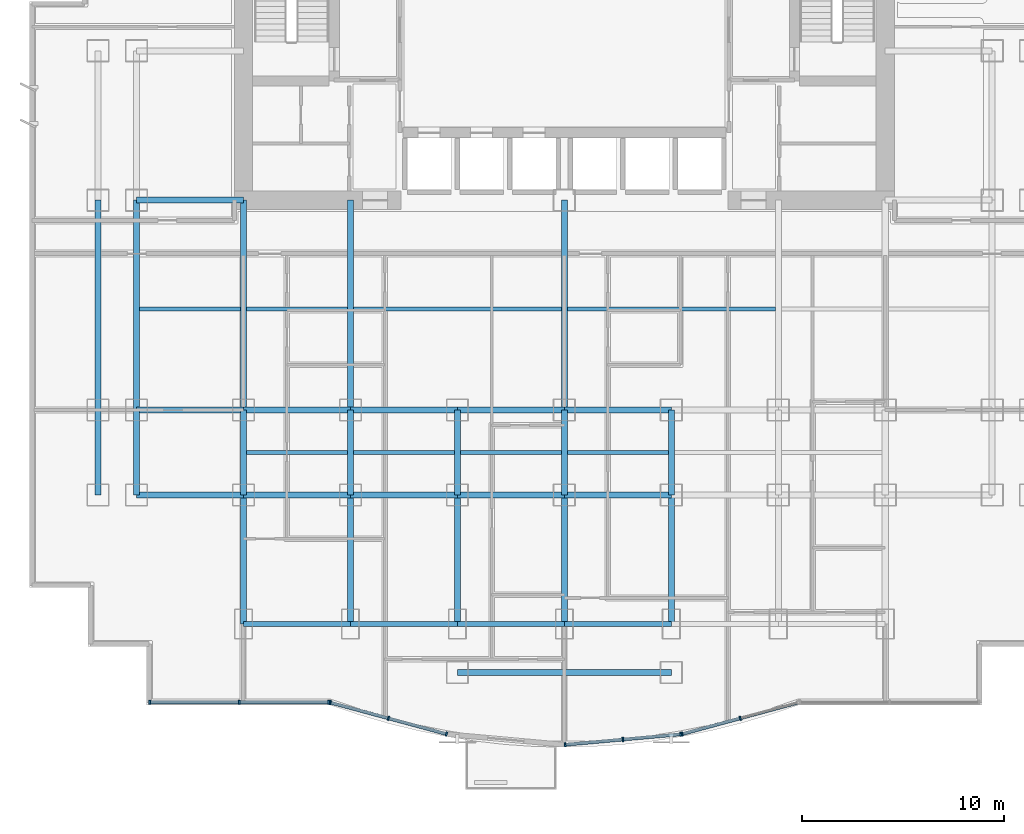
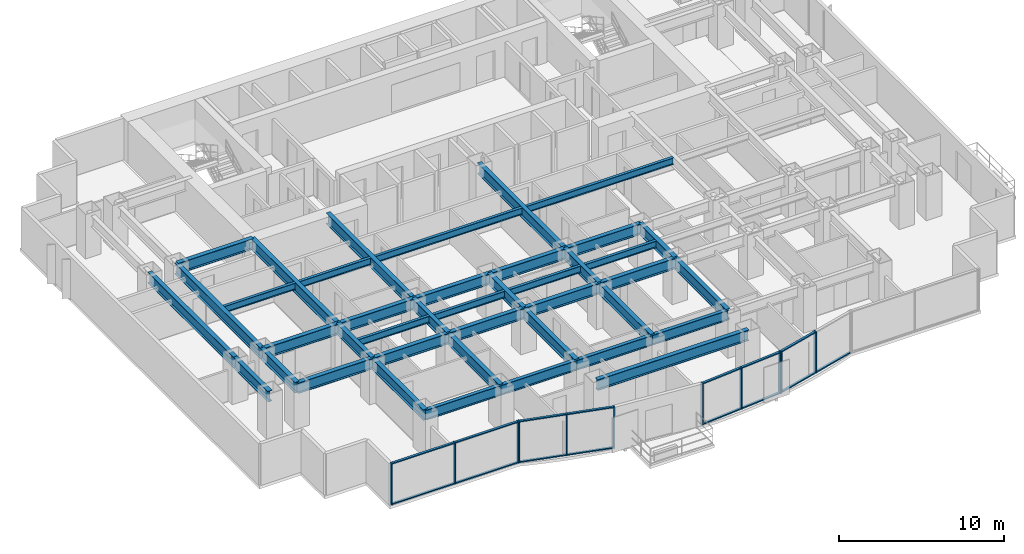
# One storey, part 2 of 10: 41 beams, 26 members, 4 elements without a shape of their own.
"""IFC4 building model written with IfcOpenShell, lengths in metres."""

from ifc_helpers import new_model, si_unit, direction, frame, origin, origin_2d, place, context, subcontext, project, spatial, rectangle, i_section, extrude, source, transform, mapped, material, layer, layer_set, material_profile, profile_set, type_object, element, aggregate, save


model = new_model("IFC4")

# Units and contexts
model_context = context("Model", 3, precision=1e-05, world=origin(), true_north=direction((0.0, 1.0)))
body_context = subcontext(model_context, "Body", "Model", "MODEL_VIEW")
ifc_project = project(units=[si_unit("LENGTHUNIT", "METRE"), si_unit("AREAUNIT", "SQUARE_METRE"), si_unit("VOLUMEUNIT", "CUBIC_METRE"), si_unit("PLANEANGLEUNIT", "RADIAN"), si_unit("MASSUNIT", "GRAM", prefix="KILO")], contexts=[model_context])

# Site, building, storey
site_placement = place(None, origin())
site = spatial("IfcSite", under=ifc_project, at=site_placement, CompositionType="ELEMENT")
building_placement = place(site_placement, origin())
building = spatial("IfcBuilding", under=site, at=building_placement, Name="Qianlan Lanfeng Residences", CompositionType="ELEMENT")
storey_placement = place(building_placement, frame((0.0, 0.0, 50.60009765625)))
storey = spatial("IfcBuildingStorey", under=building, at=storey_placement, Name="L13", CompositionType="ELEMENT", Elevation=50.60009765625)

# Beams
ifc_material_1 = material(Name="Steel SN490B", Category="steel")
ifc_material_profile_1 = material_profile(ifc_material_1, i_section(OverallWidth=0.300048828125, OverallDepth=0.800048828125, WebThickness=0.01611328125, FlangeThickness=0.028076171875, at=origin_2d()), Name="H 800x300x16x28")
ifc_profile_set_1 = profile_set([ifc_material_profile_1], Name="Steel SN490B")
beam_type_1 = type_object("IfcBeamType", Name="G-950", PredefinedType="BEAM", material=ifc_profile_set_1)
beam_1_placement = place(storey_placement, frame((21.199951171875, 1.800048828125, 2.679931640625), z_axis=(1.0, 0.0, 0.0), x_axis=(0.0, 1.0, 0.0)))
element("IfcBeam", 1, at=beam_1_placement, inside=storey, type_object=beam_type_1, Name="Structural beam G-950", PredefinedType="BEAM", context=body_context, shape_type="SweptSolid", body=[
    extrude(i_section(OverallWidth=0.300048828125, OverallDepth=0.800048828125, WebThickness=0.01611328125, FlangeThickness=0.028076171875, at=origin_2d()), origin(), (0.0, 0.0, 1.0), 10.60009765625),
])
beam_2_placement = place(storey_placement, frame((5.300048828125, 10.60009765625, 2.679931640625), z_axis=(1.0, 0.0, 0.0), x_axis=(0.0, 1.0, 0.0)))
element("IfcBeam", 2, at=beam_2_placement, inside=storey, type_object=beam_type_1, Name="Structural beam G-950", PredefinedType="BEAM", context=body_context, shape_type="SweptSolid", body=[
    extrude(i_section(OverallWidth=0.300048828125, OverallDepth=0.800048828125, WebThickness=0.01611328125, FlangeThickness=0.028076171875, at=origin_2d()), origin(), (0.0, 0.0, 1.0), 5.300048828125),
])
beam_3_placement = place(storey_placement, frame((10.60009765625, 10.60009765625, 2.679931640625), z_axis=(1.0, 0.0, 0.0), x_axis=(0.0, 1.0, 0.0)))
element("IfcBeam", 3, at=beam_3_placement, inside=storey, type_object=beam_type_1, Name="Structural beam G-950", PredefinedType="BEAM", context=body_context, shape_type="SweptSolid", body=[
    extrude(i_section(OverallWidth=0.300048828125, OverallDepth=0.800048828125, WebThickness=0.01611328125, FlangeThickness=0.028076171875, at=origin_2d()), origin(), (0.0, 0.0, 1.0), 5.2998046875),
])
for number, where, z_axis, x_axis, name in (
    (4, (15.89990234375, 10.60009765625, 2.679931640625), (1.0, 0.0, 0.0), (0.0, 1.0, 0.0), "Structural beam G-950"),
    (5, (21.199951171875, 10.60009765625, 2.679931640625), (1.0, 0.0, 0.0), (0.0, 1.0, 0.0), "Structural beam G-950"),
    (6, (26.5, 10.60009765625, 2.679931640625), (1.0, 0.0, 0.0), (0.0, 1.0, 0.0), "Structural beam G-950"),
    (7, (5.300048828125, 14.800048828125, 2.679931640625), (1.0, 0.0, 0.0), (0.0, 1.0, 0.0), "Structural beam G-950"),
):
    element("IfcBeam", number, at=place(storey_placement, frame(where, z_axis=z_axis, x_axis=x_axis)), inside=storey, type_object=beam_type_1, Name=name, PredefinedType="BEAM", context=body_context, shape_type="SweptSolid", body=[
        extrude(i_section(OverallWidth=0.300048828125, OverallDepth=0.800048828125, WebThickness=0.01611328125, FlangeThickness=0.028076171875, at=origin_2d()), origin(), (0.0, 0.0, 1.0), 5.300048828125),
    ])
beam_4_placement = place(storey_placement, frame((10.60009765625, 14.800048828125, 2.679931640625), z_axis=(1.0, 0.0, 0.0), x_axis=(0.0, 1.0, 0.0)))
element("IfcBeam", 8, at=beam_4_placement, inside=storey, type_object=beam_type_1, Name="Structural beam G-950", PredefinedType="BEAM", context=body_context, shape_type="SweptSolid", body=[
    extrude(i_section(OverallWidth=0.300048828125, OverallDepth=0.800048828125, WebThickness=0.01611328125, FlangeThickness=0.028076171875, at=origin_2d()), origin(), (0.0, 0.0, 1.0), 5.2998046875),
])
for number, where, z_axis, x_axis, name in (
    (9, (15.89990234375, 14.800048828125, 2.679931640625), (1.0, 0.0, 0.0), (0.0, 1.0, 0.0), "Structural beam G-950"),
    (10, (21.199951171875, 14.800048828125, 2.679931640625), (1.0, 0.0, 0.0), (0.0, 1.0, 0.0), "Structural beam G-950"),
    (11, (26.5, 14.800048828125, 2.679931640625), (1.0, 0.0, 0.0), (0.0, 1.0, 0.0), "Structural beam G-950"),
    (12, (5.300048828125, 25.199951171875, 2.679931640625), (1.0, 0.0, 0.0), (0.0, 1.0, 0.0), "Structural beam G-950"),
):
    element("IfcBeam", number, at=place(storey_placement, frame(where, z_axis=z_axis, x_axis=x_axis)), inside=storey, type_object=beam_type_1, Name=name, PredefinedType="BEAM", context=body_context, shape_type="SweptSolid", body=[
        extrude(i_section(OverallWidth=0.300048828125, OverallDepth=0.800048828125, WebThickness=0.01611328125, FlangeThickness=0.028076171875, at=origin_2d()), origin(), (0.0, 0.0, 1.0), 5.300048828125),
    ])
beam_5_placement = place(storey_placement, frame((3.39990234375, 10.60009765625, 2.679931640625), z_axis=(0.0, 1.0, 0.0), x_axis=(-1.0, 0.0, 0.0)))
element("IfcBeam", 13, at=beam_5_placement, inside=storey, type_object=beam_type_1, Name="Structural beam G-950", PredefinedType="BEAM", context=body_context, shape_type="SweptSolid", body=[
    extrude(i_section(OverallWidth=0.300048828125, OverallDepth=0.800048828125, WebThickness=0.01611328125, FlangeThickness=0.028076171875, at=origin_2d()), origin(), (0.0, 0.0, 1.0), 4.199951171875),
])
beam_6_placement = place(storey_placement, frame((3.39990234375, 14.800048828125, 2.679931640625), z_axis=(0.0, 1.0, 0.0), x_axis=(-1.0, 0.0, 0.0)))
element("IfcBeam", 14, at=beam_6_placement, inside=storey, type_object=beam_type_1, Name="Structural beam G-950", PredefinedType="BEAM", context=body_context, shape_type="SweptSolid", body=[
    extrude(i_section(OverallWidth=0.300048828125, OverallDepth=0.800048828125, WebThickness=0.01611328125, FlangeThickness=0.028076171875, at=origin_2d()), origin(), (0.0, 0.0, 1.0), 10.39990234375),
])
beam_7_placement = place(storey_placement, frame((5.300048828125, 10.60009765625, 2.679931640625), z_axis=(0.0, 1.0, 0.0), x_axis=(-1.0, 0.0, 0.0)))
element("IfcBeam", 15, at=beam_7_placement, inside=storey, type_object=beam_type_1, Name="Structural beam G-950", PredefinedType="BEAM", context=body_context, shape_type="SweptSolid", body=[
    extrude(i_section(OverallWidth=0.300048828125, OverallDepth=0.800048828125, WebThickness=0.01611328125, FlangeThickness=0.028076171875, at=origin_2d()), origin(), (0.0, 0.0, 1.0), 4.199951171875),
])
beam_8_placement = place(storey_placement, frame((5.300048828125, 14.800048828125, 2.679931640625), z_axis=(0.0, 1.0, 0.0), x_axis=(-1.0, 0.0, 0.0)))
element("IfcBeam", 16, at=beam_8_placement, inside=storey, type_object=beam_type_1, Name="Structural beam G-950", PredefinedType="BEAM", context=body_context, shape_type="SweptSolid", body=[
    extrude(i_section(OverallWidth=0.300048828125, OverallDepth=0.800048828125, WebThickness=0.01611328125, FlangeThickness=0.028076171875, at=origin_2d()), origin(), (0.0, 0.0, 1.0), 10.39990234375),
])
beam_9_placement = place(storey_placement, frame((10.60009765625, 4.199951171875, 2.679931640625), z_axis=(0.0, 1.0, 0.0), x_axis=(-1.0, 0.0, 0.0)))
element("IfcBeam", 17, at=beam_9_placement, inside=storey, type_object=beam_type_1, Name="Structural beam G-950", PredefinedType="BEAM", context=body_context, shape_type="SweptSolid", body=[
    extrude(i_section(OverallWidth=0.300048828125, OverallDepth=0.800048828125, WebThickness=0.01611328125, FlangeThickness=0.028076171875, at=origin_2d()), origin(), (0.0, 0.0, 1.0), 6.400146484375),
])
beam_10_placement = place(storey_placement, frame((10.60009765625, 10.60009765625, 2.679931640625), z_axis=(0.0, 1.0, 0.0), x_axis=(-1.0, 0.0, 0.0)))
element("IfcBeam", 18, at=beam_10_placement, inside=storey, type_object=beam_type_1, Name="Structural beam G-950", PredefinedType="BEAM", context=body_context, shape_type="SweptSolid", body=[
    extrude(i_section(OverallWidth=0.300048828125, OverallDepth=0.800048828125, WebThickness=0.01611328125, FlangeThickness=0.028076171875, at=origin_2d()), origin(), (0.0, 0.0, 1.0), 4.199951171875),
])
beam_11_placement = place(storey_placement, frame((10.60009765625, 14.800048828125, 2.679931640625), z_axis=(0.0, 1.0, 0.0), x_axis=(-1.0, 0.0, 0.0)))
element("IfcBeam", 19, at=beam_11_placement, inside=storey, type_object=beam_type_1, Name="Structural beam G-950", PredefinedType="BEAM", context=body_context, shape_type="SweptSolid", body=[
    extrude(i_section(OverallWidth=0.300048828125, OverallDepth=0.800048828125, WebThickness=0.01611328125, FlangeThickness=0.028076171875, at=origin_2d()), origin(), (0.0, 0.0, 1.0), 10.39990234375),
])
beam_12_placement = place(storey_placement, frame((15.89990234375, 4.199951171875, 2.679931640625), z_axis=(0.0, 1.0, 0.0), x_axis=(-1.0, 0.0, 0.0)))
element("IfcBeam", 20, at=beam_12_placement, inside=storey, type_object=beam_type_1, Name="Structural beam G-950", PredefinedType="BEAM", context=body_context, shape_type="SweptSolid", body=[
    extrude(i_section(OverallWidth=0.300048828125, OverallDepth=0.800048828125, WebThickness=0.01611328125, FlangeThickness=0.028076171875, at=origin_2d()), origin(), (0.0, 0.0, 1.0), 6.400146484375),
])
beam_13_placement = place(storey_placement, frame((15.89990234375, 10.60009765625, 2.679931640625), z_axis=(0.0, 1.0, 0.0), x_axis=(-1.0, 0.0, 0.0)))
element("IfcBeam", 21, at=beam_13_placement, inside=storey, type_object=beam_type_1, Name="Structural beam G-950", PredefinedType="BEAM", context=body_context, shape_type="SweptSolid", body=[
    extrude(i_section(OverallWidth=0.300048828125, OverallDepth=0.800048828125, WebThickness=0.01611328125, FlangeThickness=0.028076171875, at=origin_2d()), origin(), (0.0, 0.0, 1.0), 4.199951171875),
])
beam_14_placement = place(storey_placement, frame((15.89990234375, 14.800048828125, 2.679931640625), z_axis=(0.0, 1.0, 0.0), x_axis=(-1.0, 0.0, 0.0)))
element("IfcBeam", 22, at=beam_14_placement, inside=storey, type_object=beam_type_1, Name="Structural beam G-950", PredefinedType="BEAM", context=body_context, shape_type="SweptSolid", body=[
    extrude(i_section(OverallWidth=0.300048828125, OverallDepth=0.800048828125, WebThickness=0.01611328125, FlangeThickness=0.028076171875, at=origin_2d()), origin(), (0.0, 0.0, 1.0), 10.39990234375),
])
beam_15_placement = place(storey_placement, frame((21.199951171875, 4.199951171875, 2.679931640625), z_axis=(0.0, 1.0, 0.0), x_axis=(-1.0, 0.0, 0.0)))
element("IfcBeam", 23, at=beam_15_placement, inside=storey, type_object=beam_type_1, Name="Structural beam G-950", PredefinedType="BEAM", context=body_context, shape_type="SweptSolid", body=[
    extrude(i_section(OverallWidth=0.300048828125, OverallDepth=0.800048828125, WebThickness=0.01611328125, FlangeThickness=0.028076171875, at=origin_2d()), origin(), (0.0, 0.0, 1.0), 6.400146484375),
])
beam_16_placement = place(storey_placement, frame((21.199951171875, 10.60009765625, 2.679931640625), z_axis=(0.0, 1.0, 0.0), x_axis=(-1.0, 0.0, 0.0)))
element("IfcBeam", 24, at=beam_16_placement, inside=storey, type_object=beam_type_1, Name="Structural beam G-950", PredefinedType="BEAM", context=body_context, shape_type="SweptSolid", body=[
    extrude(i_section(OverallWidth=0.300048828125, OverallDepth=0.800048828125, WebThickness=0.01611328125, FlangeThickness=0.028076171875, at=origin_2d()), origin(), (0.0, 0.0, 1.0), 4.199951171875),
])
beam_17_placement = place(storey_placement, frame((26.5, 4.199951171875, 2.679931640625), z_axis=(0.0, 1.0, 0.0), x_axis=(-1.0, 0.0, 0.0)))
element("IfcBeam", 25, at=beam_17_placement, inside=storey, type_object=beam_type_1, Name="Structural beam G-950", PredefinedType="BEAM", context=body_context, shape_type="SweptSolid", body=[
    extrude(i_section(OverallWidth=0.300048828125, OverallDepth=0.800048828125, WebThickness=0.01611328125, FlangeThickness=0.028076171875, at=origin_2d()), origin(), (0.0, 0.0, 1.0), 6.400146484375),
])
beam_18_placement = place(storey_placement, frame((26.5, 10.60009765625, 2.679931640625), z_axis=(0.0, 1.0, 0.0), x_axis=(-1.0, 0.0, 0.0)))
element("IfcBeam", 26, at=beam_18_placement, inside=storey, type_object=beam_type_1, Name="Structural beam G-950", PredefinedType="BEAM", context=body_context, shape_type="SweptSolid", body=[
    extrude(i_section(OverallWidth=0.300048828125, OverallDepth=0.800048828125, WebThickness=0.01611328125, FlangeThickness=0.028076171875, at=origin_2d()), origin(), (0.0, 0.0, 1.0), 4.199951171875),
])
beam_19_placement = place(storey_placement, frame((26.5, 14.800048828125, 2.679931640625), z_axis=(0.0, 1.0, 0.0), x_axis=(-1.0, 0.0, 0.0)))
element("IfcBeam", 27, at=beam_19_placement, inside=storey, type_object=beam_type_1, Name="Structural beam G-950", PredefinedType="BEAM", context=body_context, shape_type="SweptSolid", body=[
    extrude(i_section(OverallWidth=0.300048828125, OverallDepth=0.800048828125, WebThickness=0.01611328125, FlangeThickness=0.028076171875, at=origin_2d()), origin(), (0.0, 0.0, 1.0), 10.39990234375),
])
beam_20_placement = place(storey_placement, frame((31.800048828125, 4.199951171875, 2.679931640625), z_axis=(0.0, 1.0, 0.0), x_axis=(-1.0, 0.0, 0.0)))
element("IfcBeam", 28, at=beam_20_placement, inside=storey, type_object=beam_type_1, Name="Structural beam G-950", PredefinedType="BEAM", context=body_context, shape_type="SweptSolid", body=[
    extrude(i_section(OverallWidth=0.300048828125, OverallDepth=0.800048828125, WebThickness=0.01611328125, FlangeThickness=0.028076171875, at=origin_2d()), origin(), (0.0, 0.0, 1.0), 6.400146484375),
])
beam_21_placement = place(storey_placement, frame((31.800048828125, 10.60009765625, 2.679931640625), z_axis=(0.0, 1.0, 0.0), x_axis=(-1.0, 0.0, 0.0)))
element("IfcBeam", 29, at=beam_21_placement, inside=storey, type_object=beam_type_1, Name="Structural beam G-950", PredefinedType="BEAM", context=body_context, shape_type="SweptSolid", body=[
    extrude(i_section(OverallWidth=0.300048828125, OverallDepth=0.800048828125, WebThickness=0.01611328125, FlangeThickness=0.028076171875, at=origin_2d()), origin(), (0.0, 0.0, 1.0), 4.199951171875),
])
ifc_material_profile_2 = material_profile(ifc_material_1, i_section(OverallWidth=0.199951171875, OverallDepth=0.5, WebThickness=0.010009765625, FlangeThickness=0.01611328125, at=origin_2d()), Name="H 500x200x10x16")
ifc_profile_set_2 = profile_set([ifc_material_profile_2], Name="Steel SN490B")
beam_type_2 = type_object("IfcBeamType", Name="J-500", PredefinedType="JOIST", material=ifc_profile_set_2)
for number, where, z_axis, x_axis, name in (
    (30, (10.75, 12.699951171875, 2.829833984375), (1.0, 0.0, 0.0), (0.0, 1.0, 0.0), "Structural beam J-500"),
    (31, (16.050048828125, 12.699951171875, 2.829833984375), (1.0, 0.0, 0.0), (0.0, 1.0, 0.0), "Structural beam J-500"),
    (32, (21.35009765625, 12.699951171875, 2.829833984375), (1.0, 0.0, 0.0), (0.0, 1.0, 0.0), "Structural beam J-500"),
    (33, (26.64990234375, 12.699951171875, 2.829833984375), (1.0, 0.0, 0.0), (0.0, 1.0, 0.0), "Structural beam J-500"),
    (34, (5.449951171875, 19.800048828125, 2.829833984375), (1.0, 0.0, 0.0), (0.0, 1.0, 0.0), "Structural beam J-500"),
    (35, (10.75, 19.800048828125, 2.829833984375), (1.0, 0.0, 0.0), (0.0, 1.0, 0.0), "Structural beam J-500"),
):
    element("IfcBeam", number, at=place(storey_placement, frame(where, z_axis=z_axis, x_axis=x_axis)), inside=storey, type_object=beam_type_2, Name=name, PredefinedType="JOIST", context=body_context, shape_type="SweptSolid", body=[
        extrude(i_section(OverallWidth=0.199951171875, OverallDepth=0.5, WebThickness=0.010009765625, FlangeThickness=0.01611328125, at=origin_2d()), origin(), (0.0, 0.0, 1.0), 5.0),
    ])
for number, where, z_axis, x_axis, name in (
    (36, (16.050048828125, 19.800048828125, 2.829833984375), (1.0, 0.0, 0.0), (0.0, 1.0, 0.0), "Structural beam J-500"),
    (37, (26.64990234375, 19.800048828125, 2.829833984375), (1.0, 0.0, 0.0), (0.0, 1.0, 0.0), "Structural beam J-500"),
):
    element("IfcBeam", number, at=place(storey_placement, frame(where, z_axis=z_axis, x_axis=x_axis)), inside=storey, type_object=beam_type_2, Name=name, PredefinedType="JOIST", context=body_context, shape_type="SweptSolid", body=[
        extrude(i_section(OverallWidth=0.199951171875, OverallDepth=0.5, WebThickness=0.010009765625, FlangeThickness=0.01611328125, at=origin_2d()), origin(), (0.0, 0.0, 1.0), 10.300048828125),
    ])
ifc_material_profile_3 = material_profile(ifc_material_1, i_section(OverallWidth=0.25, OverallDepth=0.75, WebThickness=0.013916015625, FlangeThickness=0.02490234375, at=origin_2d()), Name="H 750x250x14x25")
ifc_profile_set_3 = profile_set([ifc_material_profile_3], Name="Steel SN490B")
beam_type_3 = type_object("IfcBeamType", Name="SG-850", PredefinedType="SPANDREL", material=ifc_profile_set_3)
beam_22_placement = place(storey_placement, frame((10.60009765625, 4.199951171875, 2.704833984375), z_axis=(1.0, 0.0, 0.0), x_axis=(0.0, 1.0, 0.0)))
element("IfcBeam", 38, at=beam_22_placement, inside=storey, type_object=beam_type_3, Name="Structural beam SG-850", PredefinedType="SPANDREL", context=body_context, shape_type="SweptSolid", body=[
    extrude(i_section(OverallWidth=0.25, OverallDepth=0.75, WebThickness=0.013916015625, FlangeThickness=0.02490234375, at=origin_2d()), origin(), (0.0, 0.0, 1.0), 5.2998046875),
])
for number, where, z_axis, x_axis, name in (
    (39, (15.89990234375, 4.199951171875, 2.704833984375), (1.0, 0.0, 0.0), (0.0, 1.0, 0.0), "Structural beam SG-850"),
    (40, (21.199951171875, 4.199951171875, 2.704833984375), (1.0, 0.0, 0.0), (0.0, 1.0, 0.0), "Structural beam SG-850"),
    (41, (26.5, 4.199951171875, 2.704833984375), (1.0, 0.0, 0.0), (0.0, 1.0, 0.0), "Structural beam SG-850"),
):
    element("IfcBeam", number, at=place(storey_placement, frame(where, z_axis=z_axis, x_axis=x_axis)), inside=storey, type_object=beam_type_3, Name=name, PredefinedType="SPANDREL", context=body_context, shape_type="SweptSolid", body=[
        extrude(i_section(OverallWidth=0.25, OverallDepth=0.75, WebThickness=0.013916015625, FlangeThickness=0.02490234375, at=origin_2d()), origin(), (0.0, 0.0, 1.0), 5.300048828125),
    ])

# Curtain wall, members
ifc_material_2 = material(Name="Anodised Bronze Aluminium 6063-T6", Category="aluminium")
ifc_layer = layer(ifc_material_2, 0.219970703125)
ifc_layer_set = layer_set([ifc_layer], Name="Anodised Bronze Aluminium 6063-T6")
curtain_wall_type = type_object("IfcCurtainWallType", Name="CW-02", PredefinedType="NOTDEFINED", material=ifc_layer_set)
curtain_wall_1_placement = place(storey_placement, origin())
curtain_wall_1 = element("IfcCurtainWall", 42, at=curtain_wall_1_placement, inside=storey, type_object=curtain_wall_type, Name="L13 Unitised Curtain Wall CWR-L13-02 (CW-02)", PredefinedType="NOTDEFINED")
ifc_material_profile_4 = material_profile(ifc_material_2, rectangle(XDim=0.080078125, YDim=0.159912109375, at=origin_2d()), Name="ALU TRANSOM 80x160")
ifc_profile_set_4 = profile_set([ifc_material_profile_4], Name="Anodised Bronze Aluminium 6063-T6")
member_type_1 = type_object("IfcMemberType", Name="CWT-180", PredefinedType="USERDEFINED", material=ifc_profile_set_4)
shared_shape_1 = source(origin(), body_context, "Body", "SweptSolid", [
    extrude(rectangle(XDim=0.080078125, YDim=0.159912109375, at=origin_2d()), origin(), (0.0, 0.0, 1.0), 2.897705078125),
])
member_1_placement = place(storey_placement, frame((14.947265625, 0.299072265625, 0.039794921875), z_axis=(0.965267548724, -0.261263390817, 0.0), x_axis=(0.0, 0.0, 1.0)))
member_1 = element("IfcMember", 43, at=member_1_placement, type_object=member_type_1, Name="CWR-L13-02 Transom 1-BOT", ObjectType="TRANSOM", PredefinedType="USERDEFINED", context=body_context, shape_type="MappedRepresentation", body=[
    mapped(shared_shape_1, transform((0.0, 0.0, 0.0), scale=1.0)),
])
member_2_placement = place(storey_placement, frame((14.947265625, 0.299072265625, 3.039794921875), z_axis=(0.965267548724, -0.261263390817, 0.0), x_axis=(0.0, 0.0, 1.0)))
member_2 = element("IfcMember", 44, at=member_2_placement, type_object=member_type_1, Name="CWR-L13-02 Transom 1-TOP", ObjectType="TRANSOM", PredefinedType="USERDEFINED", context=body_context, shape_type="MappedRepresentation", body=[
    mapped(shared_shape_1, transform((0.0, 0.0, 0.0), scale=1.0)),
])

# Curtain wall, member
curtain_wall_2_placement = place(storey_placement, origin())
curtain_wall_2 = element("IfcCurtainWall", 45, at=curtain_wall_2_placement, inside=storey, type_object=curtain_wall_type, Name="L13 Unitised Curtain Wall CWR-L13-04 (CW-02)", PredefinedType="NOTDEFINED")
member_3_placement = place(storey_placement, frame((35.255615234375, -0.4580078125, 0.039794921875), z_axis=(0.965267548724, 0.261263390817, 0.0), x_axis=(0.0, 0.0, 1.0)))
member_3 = element("IfcMember", 46, at=member_3_placement, type_object=member_type_1, Name="CWR-L13-04 Transom 2-BOT", ObjectType="TRANSOM", PredefinedType="USERDEFINED", context=body_context, shape_type="MappedRepresentation", body=[
    mapped(shared_shape_1, transform((0.0, 0.0, 0.0), scale=1.0)),
])

# Member
shared_shape_2 = source(origin(), body_context, "Body", "SweptSolid", [
    extrude(rectangle(XDim=0.080078125, YDim=0.159912109375, at=origin_2d()), origin(), (0.0, 0.0, 1.0), 2.89794921875),
])
member_4_placement = place(storey_placement, frame((17.821533203125, -0.47900390625, 0.039794921875), z_axis=(0.965273298897, -0.261242145215, 0.0), x_axis=(0.0, 0.0, 1.0)))
member_4 = element("IfcMember", 47, at=member_4_placement, type_object=member_type_1, Name="CWR-L13-02 Transom 2-BOT", ObjectType="TRANSOM", PredefinedType="USERDEFINED", context=body_context, shape_type="MappedRepresentation", body=[
    mapped(shared_shape_2, transform((0.0, 0.0, 0.0), scale=1.0)),
])

member_5_placement = place(storey_placement, frame((17.821533203125, -0.47900390625, 3.039794921875), z_axis=(0.965273298897, -0.261242145215, 0.0), x_axis=(0.0, 0.0, 1.0)))
member_5 = element("IfcMember", 48, at=member_5_placement, type_object=member_type_1, Name="CWR-L13-02 Transom 2-TOP", ObjectType="TRANSOM", PredefinedType="USERDEFINED", context=body_context, shape_type="MappedRepresentation", body=[
    mapped(shared_shape_2, transform((0.0, 0.0, 0.0), scale=1.0)),
])

member_6_placement = place(storey_placement, frame((32.381103515625, -1.236083984375, 0.039794921875), z_axis=(0.965273298897, 0.261242145215, 0.0), x_axis=(0.0, 0.0, 1.0)))
member_6 = element("IfcMember", 49, at=member_6_placement, type_object=member_type_1, Name="CWR-L13-04 Transom 1-BOT", ObjectType="TRANSOM", PredefinedType="USERDEFINED", context=body_context, shape_type="MappedRepresentation", body=[
    mapped(shared_shape_2, transform((0.0, 0.0, 0.0), scale=1.0)),
])

member_7_placement = place(storey_placement, frame((32.381103515625, -1.236083984375, 3.039794921875), z_axis=(0.965273298897, 0.261242145215, 0.0), x_axis=(0.0, 0.0, 1.0)))
member_7 = element("IfcMember", 50, at=member_7_placement, type_object=member_type_1, Name="CWR-L13-04 Transom 1-TOP", ObjectType="TRANSOM", PredefinedType="USERDEFINED", context=body_context, shape_type="MappedRepresentation", body=[
    mapped(shared_shape_2, transform((0.0, 0.0, 0.0), scale=1.0)),
])

# Curtain wall, members
curtain_wall_3_placement = place(storey_placement, origin())
curtain_wall_3 = element("IfcCurtainWall", 51, at=curtain_wall_3_placement, inside=storey, type_object=curtain_wall_type, Name="L13 Unitised Curtain Wall CWR-L13-03 (CW-02)", PredefinedType="NOTDEFINED")
shared_shape_3 = source(origin(), body_context, "Body", "SweptSolid", [
    extrude(rectangle(XDim=0.080078125, YDim=0.159912109375, at=origin_2d()), origin(), (0.0, 0.0, 1.0), 2.793701171875),
])
member_8_placement = place(storey_placement, frame((29.44189453125, -1.514892578125, 0.039794921875), z_axis=(0.995964524532, 0.089747790357, 0.0), x_axis=(0.0, 0.0, 1.0)))
member_8 = element("IfcMember", 52, at=member_8_placement, type_object=member_type_1, Name="CWR-L13-03 Transom 2-BOT", ObjectType="TRANSOM", PredefinedType="USERDEFINED", context=body_context, shape_type="MappedRepresentation", body=[
    mapped(shared_shape_3, transform((0.0, 0.0, 0.0), scale=1.0)),
])
member_9_placement = place(storey_placement, frame((29.44189453125, -1.514892578125, 3.039794921875), z_axis=(0.995964524532, 0.089747790357, 0.0), x_axis=(0.0, 0.0, 1.0)))
member_9 = element("IfcMember", 53, at=member_9_placement, type_object=member_type_1, Name="CWR-L13-03 Transom 2-TOP", ObjectType="TRANSOM", PredefinedType="USERDEFINED", context=body_context, shape_type="MappedRepresentation", body=[
    mapped(shared_shape_3, transform((0.0, 0.0, 0.0), scale=1.0)),
])
shared_shape_4 = source(origin(), body_context, "Body", "SweptSolid", [
    extrude(rectangle(XDim=0.080078125, YDim=0.159912109375, at=origin_2d()), origin(), (0.0, 0.0, 1.0), 2.7939453125),
])
member_10_placement = place(storey_placement, frame((26.57958984375, -1.772705078125, 0.039794921875), z_axis=(0.995973034517, 0.089653301756, 0.0), x_axis=(0.0, 0.0, 1.0)))
member_10 = element("IfcMember", 54, at=member_10_placement, type_object=member_type_1, Name="CWR-L13-03 Transom 1-BOT", ObjectType="TRANSOM", PredefinedType="USERDEFINED", context=body_context, shape_type="MappedRepresentation", body=[
    mapped(shared_shape_4, transform((0.0, 0.0, 0.0), scale=1.0)),
])
member_11_placement = place(storey_placement, frame((26.57958984375, -1.772705078125, 3.039794921875), z_axis=(0.995973034517, 0.089653301756, 0.0), x_axis=(0.0, 0.0, 1.0)))
member_11 = element("IfcMember", 55, at=member_11_placement, type_object=member_type_1, Name="CWR-L13-03 Transom 1-TOP", ObjectType="TRANSOM", PredefinedType="USERDEFINED", context=body_context, shape_type="MappedRepresentation", body=[
    mapped(shared_shape_4, transform((0.0, 0.0, 0.0), scale=1.0)),
])

curtain_wall_4_placement = place(storey_placement, origin())
curtain_wall_4 = element("IfcCurtainWall", 56, at=curtain_wall_4_placement, inside=storey, type_object=curtain_wall_type, Name="L13 Unitised Curtain Wall CWR-L13-01 (CW-02)", PredefinedType="NOTDEFINED")
shared_shape_5 = source(origin(), body_context, "Body", "SweptSolid", [
    extrude(rectangle(XDim=0.080078125, YDim=0.159912109375, at=origin_2d()), origin(), (0.0, 0.0, 1.0), 4.35498046875),
])
member_12_placement = place(storey_placement, frame((6.0, 0.320068359375, 0.039794921875), z_axis=(1.0, 0.0, 0.0), x_axis=(0.0, 0.0, 1.0)))
member_12 = element("IfcMember", 57, at=member_12_placement, type_object=member_type_1, Name="CWR-L13-01 Transom 1-BOT", ObjectType="TRANSOM", PredefinedType="USERDEFINED", context=body_context, shape_type="MappedRepresentation", body=[
    mapped(shared_shape_5, transform((0.0, 0.0, 0.0), scale=1.0)),
])
member_13_placement = place(storey_placement, frame((6.0, 0.320068359375, 3.039794921875), z_axis=(1.0, 0.0, 0.0), x_axis=(0.0, 0.0, 1.0)))
member_13 = element("IfcMember", 58, at=member_13_placement, type_object=member_type_1, Name="CWR-L13-01 Transom 1-TOP", ObjectType="TRANSOM", PredefinedType="USERDEFINED", context=body_context, shape_type="MappedRepresentation", body=[
    mapped(shared_shape_5, transform((0.0, 0.0, 0.0), scale=1.0)),
])
member_14_placement = place(storey_placement, frame((10.43505859375, 0.320068359375, 0.039794921875), z_axis=(1.0, 0.0, 0.0), x_axis=(0.0, 0.0, 1.0)))
member_14 = element("IfcMember", 59, at=member_14_placement, type_object=member_type_1, Name="CWR-L13-01 Transom 2-BOT", ObjectType="TRANSOM", PredefinedType="USERDEFINED", context=body_context, shape_type="MappedRepresentation", body=[
    mapped(shared_shape_5, transform((0.0, 0.0, 0.0), scale=1.0)),
])
member_15_placement = place(storey_placement, frame((10.43505859375, 0.320068359375, 3.039794921875), z_axis=(1.0, 0.0, 0.0), x_axis=(0.0, 0.0, 1.0)))
member_15 = element("IfcMember", 60, at=member_15_placement, type_object=member_type_1, Name="CWR-L13-01 Transom 2-TOP", ObjectType="TRANSOM", PredefinedType="USERDEFINED", context=body_context, shape_type="MappedRepresentation", body=[
    mapped(shared_shape_5, transform((0.0, 0.0, 0.0), scale=1.0)),
])
ifc_material_profile_5 = material_profile(ifc_material_2, rectangle(XDim=0.080078125, YDim=0.2099609375, at=origin_2d()), Name="ALU MULLION 80x210")
ifc_profile_set_5 = profile_set([ifc_material_profile_5], Name="Anodised Bronze Aluminium 6063-T6")
member_type_2 = type_object("IfcMemberType", Name="CWM-220", PredefinedType="MULLION", material=ifc_profile_set_5)
shared_shape_6 = source(origin(), body_context, "Body", "SweptSolid", [
    extrude(rectangle(XDim=0.080078125, YDim=0.2099609375, at=origin_2d()), origin(), (0.0, 0.0, 1.0), 3.079833984375),
])
member_16_placement = place(storey_placement, frame((5.9599609375, 0.320068359375, 0.0), z_axis=(0.0, 0.0, 1.0), x_axis=(1.0, 0.0, 0.0)))
member_16 = element("IfcMember", 61, at=member_16_placement, type_object=member_type_2, Name="CWR-L13-01 Mullion 1", PredefinedType="MULLION", context=body_context, shape_type="MappedRepresentation", body=[
    mapped(shared_shape_6, transform((0.0, 0.0, 0.0), scale=1.0)),
])
member_17_placement = place(storey_placement, frame((10.39501953125, 0.320068359375, 0.0), z_axis=(0.0, 0.0, 1.0), x_axis=(1.0, 0.0, 0.0)))
member_17 = element("IfcMember", 62, at=member_17_placement, type_object=member_type_2, Name="CWR-L13-01 Mullion 2", PredefinedType="MULLION", context=body_context, shape_type="MappedRepresentation", body=[
    mapped(shared_shape_6, transform((0.0, 0.0, 0.0), scale=1.0)),
])
member_18_placement = place(storey_placement, frame((14.830078125, 0.320068359375, 0.0), z_axis=(0.0, 0.0, 1.0), x_axis=(1.0, 0.0, 0.0)))
member_18 = element("IfcMember", 63, at=member_18_placement, type_object=member_type_2, Name="CWR-L13-01 Mullion 3", PredefinedType="MULLION", context=body_context, shape_type="MappedRepresentation", body=[
    mapped(shared_shape_6, transform((0.0, 0.0, 0.0), scale=1.0)),
])
aggregate(curtain_wall_4, [member_16, member_17, member_18, member_12, member_13, member_14, member_15])

# Member
member_19_placement = place(storey_placement, frame((14.90869140625, 0.3095703125, 0.0), z_axis=(0.0, 0.0, 1.0), x_axis=(0.9652627173, -0.261281240412, 0.0)))
member_19 = element("IfcMember", 64, at=member_19_placement, type_object=member_type_2, Name="CWR-L13-02 Mullion 1", PredefinedType="MULLION", context=body_context, shape_type="MappedRepresentation", body=[
    mapped(shared_shape_6, transform((0.0, 0.0, 0.0), scale=1.0)),
])

member_20_placement = place(storey_placement, frame((17.782958984375, -0.468505859375, 0.0), z_axis=(0.0, 0.0, 1.0), x_axis=(0.9652627173, -0.261281240412, 0.0)))
member_20 = element("IfcMember", 65, at=member_20_placement, type_object=member_type_2, Name="CWR-L13-02 Mullion 2", PredefinedType="MULLION", context=body_context, shape_type="MappedRepresentation", body=[
    mapped(shared_shape_6, transform((0.0, 0.0, 0.0), scale=1.0)),
])

member_21_placement = place(storey_placement, frame((20.657470703125, -1.24658203125, 0.0), z_axis=(0.0, 0.0, 1.0), x_axis=(0.9652627173, -0.261281240412, 0.0)))
member_21 = element("IfcMember", 66, at=member_21_placement, type_object=member_type_2, Name="CWR-L13-02 Mullion 3", PredefinedType="MULLION", context=body_context, shape_type="MappedRepresentation", body=[
    mapped(shared_shape_6, transform((0.0, 0.0, 0.0), scale=1.0)),
])

aggregate(curtain_wall_1, [member_19, member_20, member_21, member_1, member_2, member_4, member_5])

member_22_placement = place(storey_placement, frame((26.539794921875, -1.7763671875, 0.0), z_axis=(0.0, 0.0, 1.0), x_axis=(0.995964677764, 0.089746089862, 0.0)))
member_22 = element("IfcMember", 67, at=member_22_placement, type_object=member_type_2, Name="CWR-L13-03 Mullion 1", PredefinedType="MULLION", context=body_context, shape_type="MappedRepresentation", body=[
    mapped(shared_shape_6, transform((0.0, 0.0, 0.0), scale=1.0)),
])

member_23_placement = place(storey_placement, frame((29.402099609375, -1.5185546875, 0.0), z_axis=(0.0, 0.0, 1.0), x_axis=(0.995964677764, 0.089746089862, 0.0)))
member_23 = element("IfcMember", 68, at=member_23_placement, type_object=member_type_2, Name="CWR-L13-03 Mullion 2", PredefinedType="MULLION", context=body_context, shape_type="MappedRepresentation", body=[
    mapped(shared_shape_6, transform((0.0, 0.0, 0.0), scale=1.0)),
])

member_24_placement = place(storey_placement, frame((32.26416015625, -1.260498046875, 0.0), z_axis=(0.0, 0.0, 1.0), x_axis=(0.995964677764, 0.089746089862, 0.0)))
member_24 = element("IfcMember", 69, at=member_24_placement, type_object=member_type_2, Name="CWR-L13-03 Mullion 3", PredefinedType="MULLION", context=body_context, shape_type="MappedRepresentation", body=[
    mapped(shared_shape_6, transform((0.0, 0.0, 0.0), scale=1.0)),
])

aggregate(curtain_wall_3, [member_22, member_23, member_24, member_10, member_11, member_8, member_9])

member_25_placement = place(storey_placement, frame((32.342529296875, -1.24658203125, 0.0), z_axis=(0.0, 0.0, 1.0), x_axis=(0.9652627173, 0.261281240412, 0.0)))
member_25 = element("IfcMember", 70, at=member_25_placement, type_object=member_type_2, Name="CWR-L13-04 Mullion 1", PredefinedType="MULLION", context=body_context, shape_type="MappedRepresentation", body=[
    mapped(shared_shape_6, transform((0.0, 0.0, 0.0), scale=1.0)),
])

member_26_placement = place(storey_placement, frame((35.217041015625, -0.468505859375, 0.0), z_axis=(0.0, 0.0, 1.0), x_axis=(0.9652627173, 0.261281240412, 0.0)))
member_26 = element("IfcMember", 71, at=member_26_placement, type_object=member_type_2, Name="CWR-L13-04 Mullion 2", PredefinedType="MULLION", context=body_context, shape_type="MappedRepresentation", body=[
    mapped(shared_shape_6, transform((0.0, 0.0, 0.0), scale=1.0)),
])

aggregate(curtain_wall_2, [member_25, member_26, member_6, member_7, member_3])

save(model, "model.ifc")
